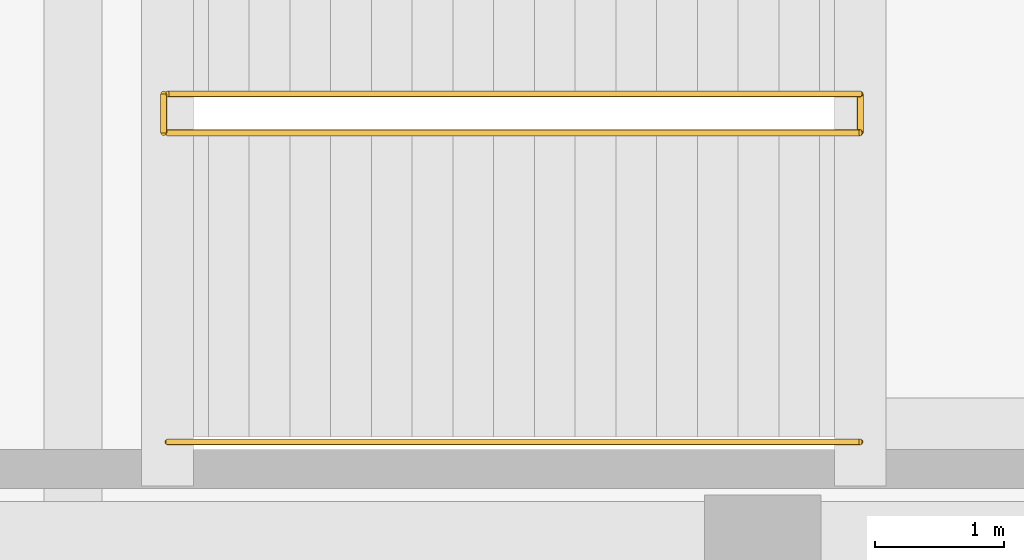
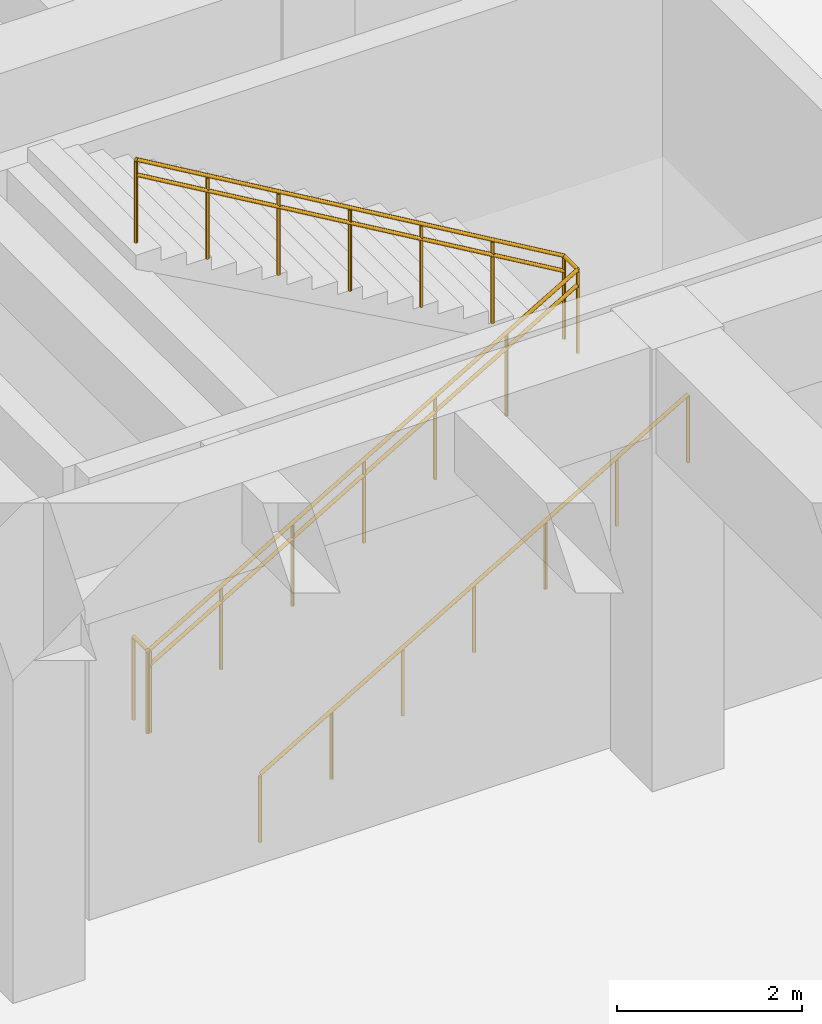
# One storey, part 19 of 24: 6 railings.
"""IFC4 building model written with IfcOpenShell, lengths in metres."""

from ifc_helpers import new_model, si_unit, direction, frame, origin, origin_2d, place, context, subcontext, project, spatial, circle, extrude, material, type_object, element, save


model = new_model("IFC4")

# Units and contexts
model_context = context("Model", 3, precision=1e-05, world=origin(), true_north=direction((0.0, 1.0)))
body_context = subcontext(model_context, "Body", "Model", "MODEL_VIEW")
ifc_project = project(units=[si_unit("LENGTHUNIT", "METRE"), si_unit("AREAUNIT", "SQUARE_METRE"), si_unit("VOLUMEUNIT", "CUBIC_METRE"), si_unit("PLANEANGLEUNIT", "RADIAN"), si_unit("MASSUNIT", "GRAM", prefix="KILO")], contexts=[model_context])

# Site, building, storey
site_placement = place(None, origin())
site = spatial("IfcSite", under=ifc_project, at=site_placement, CompositionType="ELEMENT")
building_placement = place(site_placement, origin())
building = spatial("IfcBuilding", under=site, at=building_placement, Name="Varnela Railside Interchange", CompositionType="ELEMENT")
storey_placement = place(building_placement, frame((0.0, 0.0, -6.300048828125)))
storey = spatial("IfcBuildingStorey", under=building, at=storey_placement, Name="B1", CompositionType="ELEMENT", Elevation=-6.300048828125)

# Railings
ifc_material = material(Name="Steel AR 350 (350 MPa)", Category="steel")
railing_type_1 = type_object("IfcRailingType", Name="Stair & Ramp Pitch Handrail HR-01", PredefinedType="HANDRAIL", material=ifc_material)
railing_1_placement = place(storey_placement, frame((119.39990234375, 33.25, 0.0)))
element("IfcRailing", 1, at=railing_1_placement, inside=storey, type_object=railing_type_1, Name="Stair Handrail ST-M2 Flight 1 (RL-0147)", PredefinedType="HANDRAIL", context=body_context, shape_type="SweptSolid", body=[
    extrude(circle(Radius=0.02392578125, at=origin_2d()), frame((0.0, 0.0, 0.89599609375), z_axis=(0.861923102912, 0.0, 0.507039016908), x_axis=(0.0, 1.0, 0.0)), (0.0, 0.0, 1.0), 6.212890625),
    extrude(circle(Radius=0.02099609375, at=origin_2d()), origin(), (0.0, 0.0, 1.0), 0.871826171875),
    extrude(circle(Radius=0.02099609375, at=origin_2d()), frame((0.892578125, 0.0, 0.52490234375)), (0.0, 0.0, 1.0), 0.871826171875),
    extrude(circle(Radius=0.02099609375, at=origin_2d()), frame((1.784912109375, 0.0, 1.050048828125)), (0.0, 0.0, 1.0), 0.871826171875),
    extrude(circle(Radius=0.02099609375, at=origin_2d()), frame((2.677490234375, 0.0, 1.5751953125)), (0.0, 0.0, 1.0), 0.871826171875),
    extrude(circle(Radius=0.02099609375, at=origin_2d()), frame((3.570068359375, 0.0, 2.10009765625)), (0.0, 0.0, 1.0), 0.871826171875),
    extrude(circle(Radius=0.02099609375, at=origin_2d()), frame((4.46240234375, 0.0, 2.625)), (0.0, 0.0, 1.0), 0.871826171875),
    extrude(circle(Radius=0.02099609375, at=origin_2d()), frame((5.35498046875, 0.0, 3.150146484375)), (0.0, 0.0, 1.0), 0.871826171875),
])
railing_2_placement = place(storey_placement, frame((124.7548828125, 33.550048828125, 3.150146484375)))
element("IfcRailing", 2, at=railing_2_placement, inside=storey, type_object=railing_type_1, Name="Stair Handrail ST-M2 Flight 2 (RL-0148)", PredefinedType="HANDRAIL", context=body_context, shape_type="SweptSolid", body=[
    extrude(circle(Radius=0.02392578125, at=origin_2d()), frame((0.0, 0.0, 0.89599609375), z_axis=(-0.861940276329, 0.0, 0.507009822431), x_axis=(0.0, -1.0, 0.0)), (0.0, 0.0, 1.0), 6.212646484375),
    extrude(circle(Radius=0.02099609375, at=origin_2d()), origin(), (0.0, 0.0, 1.0), 0.871826171875),
    extrude(circle(Radius=0.02099609375, at=origin_2d()), frame((-0.892578125, 0.0, 0.52490234375)), (0.0, 0.0, 1.0), 0.871826171875),
    extrude(circle(Radius=0.02099609375, at=origin_2d()), frame((-1.784912109375, 0.0, 1.050048828125)), (0.0, 0.0, 1.0), 0.871826171875),
    extrude(circle(Radius=0.02099609375, at=origin_2d()), frame((-2.677490234375, 0.0, 1.574951171875)), (0.0, 0.0, 1.0), 0.871826171875),
    extrude(circle(Radius=0.02099609375, at=origin_2d()), frame((-3.570068359375, 0.0, 2.099853515625)), (0.0, 0.0, 1.0), 0.871826171875),
    extrude(circle(Radius=0.02099609375, at=origin_2d()), frame((-4.46240234375, 0.0, 2.625)), (0.0, 0.0, 1.0), 0.871826171875),
    extrude(circle(Radius=0.02099609375, at=origin_2d()), frame((-5.35498046875, 0.0, 3.14990234375)), (0.0, 0.0, 1.0), 0.871826171875),
])
railing_type_2 = type_object("IfcRailingType", Name="Stair Well & Landing Guard GR-02", PredefinedType="GUARDRAIL", material=ifc_material)
railing_3_placement = place(storey_placement, frame((119.3701171875, 33.25, 0.0)))
element("IfcRailing", 3, at=railing_3_placement, inside=storey, type_object=railing_type_2, Name="Stair Well Slot Guard ST-M2 on B1 (RL-0106)", PredefinedType="GUARDRAIL", context=body_context, shape_type="SweptSolid", body=[
    extrude(circle(Radius=0.02392578125, at=origin_2d()), frame((0.0, 0.0, 1.09619140625), z_axis=(0.0, 1.0, 0.0), x_axis=(-1.0, 0.0, 0.0)), (0.0, 0.0, 1.0), 0.300048828125),
    extrude(circle(Radius=0.02099609375, at=origin_2d()), origin(), (0.0, 0.0, 1.0), 1.072021484375),
    extrude(circle(Radius=0.02099609375, at=origin_2d()), frame((0.0, 0.300048828125, 0.0)), (0.0, 0.0, 1.0), 1.072021484375),
])
railing_4_placement = place(storey_placement, frame((119.39990234375, 33.25, 0.0)))
element("IfcRailing", 4, at=railing_4_placement, inside=storey, type_object=railing_type_2, Name="Stair Guard ST-M2 Half-Landing (RL-0104)", PredefinedType="GUARDRAIL", context=body_context, shape_type="SweptSolid", body=[
    extrude(circle(Radius=0.02392578125, at=origin_2d()), frame((0.0, 0.0, 1.09619140625), z_axis=(0.861923102912, 0.0, 0.507039016908), x_axis=(0.0, 1.0, 0.0)), (0.0, 0.0, 1.0), 6.212890625),
    extrude(circle(Radius=0.02392578125, at=origin_2d()), frame((5.35498046875, 0.0, 4.24609375), z_axis=(0.0, 1.0, 0.0), x_axis=(-1.0, 0.0, 0.0)), (0.0, 0.0, 1.0), 0.300048828125),
    extrude(circle(Radius=0.02099609375, at=origin_2d()), origin(), (0.0, 0.0, 1.0), 1.072021484375),
    extrude(circle(Radius=0.02099609375, at=origin_2d()), frame((0.892578125, 0.0, 0.52490234375)), (0.0, 0.0, 1.0), 1.072021484375),
    extrude(circle(Radius=0.02099609375, at=origin_2d()), frame((1.784912109375, 0.0, 1.050048828125)), (0.0, 0.0, 1.0), 1.072021484375),
    extrude(circle(Radius=0.02099609375, at=origin_2d()), frame((2.677490234375, 0.0, 1.5751953125)), (0.0, 0.0, 1.0), 1.072021484375),
    extrude(circle(Radius=0.02099609375, at=origin_2d()), frame((3.570068359375, 0.0, 2.10009765625)), (0.0, 0.0, 1.0), 1.072021484375),
    extrude(circle(Radius=0.02099609375, at=origin_2d()), frame((4.46240234375, 0.0, 2.625)), (0.0, 0.0, 1.0), 1.072021484375),
    extrude(circle(Radius=0.02099609375, at=origin_2d()), frame((5.35498046875, 0.0, 3.150146484375)), (0.0, 0.0, 1.0), 1.072021484375),
    extrude(circle(Radius=0.02099609375, at=origin_2d()), frame((5.35498046875, 0.300048828125, 3.150146484375)), (0.0, 0.0, 1.0), 1.072021484375),
])
railing_5_placement = place(storey_placement, frame((124.7548828125, 33.550048828125, 3.150146484375)))
element("IfcRailing", 5, at=railing_5_placement, inside=storey, type_object=railing_type_2, Name="Stair Guard ST-M2 Upper Flight (RL-0105)", PredefinedType="GUARDRAIL", context=body_context, shape_type="SweptSolid", body=[
    extrude(circle(Radius=0.02392578125, at=origin_2d()), frame((0.0, 0.0, 1.09619140625), z_axis=(-0.861940276329, 0.0, 0.507009822431), x_axis=(0.0, -1.0, 0.0)), (0.0, 0.0, 1.0), 6.212646484375),
    extrude(circle(Radius=0.02099609375, at=origin_2d()), origin(), (0.0, 0.0, 1.0), 1.072021484375),
    extrude(circle(Radius=0.02099609375, at=origin_2d()), frame((-0.892578125, 0.0, 0.52490234375)), (0.0, 0.0, 1.0), 1.072021484375),
    extrude(circle(Radius=0.02099609375, at=origin_2d()), frame((-1.784912109375, 0.0, 1.050048828125)), (0.0, 0.0, 1.0), 1.072021484375),
    extrude(circle(Radius=0.02099609375, at=origin_2d()), frame((-2.677490234375, 0.0, 1.574951171875)), (0.0, 0.0, 1.0), 1.072021484375),
    extrude(circle(Radius=0.02099609375, at=origin_2d()), frame((-3.570068359375, 0.0, 2.099853515625)), (0.0, 0.0, 1.0), 1.072021484375),
    extrude(circle(Radius=0.02099609375, at=origin_2d()), frame((-4.46240234375, 0.0, 2.625)), (0.0, 0.0, 1.0), 1.072021484375),
    extrude(circle(Radius=0.02099609375, at=origin_2d()), frame((-5.35498046875, 0.0, 3.14990234375)), (0.0, 0.0, 1.0), 1.072021484375),
])
railing_type_3 = type_object("IfcRailingType", Name="Wall-Mounted Stair Handrail HR-02", PredefinedType="HANDRAIL", material=ifc_material)
railing_6_placement = place(storey_placement, frame((119.39990234375, 30.860107421875, 0.0)))
element("IfcRailing", 6, at=railing_6_placement, inside=storey, type_object=railing_type_3, Name="Wall Handrail ST-M2 Flight 1 (RL-0167)", PredefinedType="HANDRAIL", context=body_context, shape_type="SweptSolid", body=[
    extrude(circle(Radius=0.02392578125, at=origin_2d()), frame((0.0, 0.0, 0.89599609375), z_axis=(0.861923102912, 0.0, 0.507039016908), x_axis=(0.0, 1.0, 0.0)), (0.0, 0.0, 1.0), 6.212890625),
    extrude(circle(Radius=0.02099609375, at=origin_2d()), origin(), (0.0, 0.0, 1.0), 0.871826171875),
    extrude(circle(Radius=0.02099609375, at=origin_2d()), frame((0.892578125, 0.0, 0.52490234375)), (0.0, 0.0, 1.0), 0.871826171875),
    extrude(circle(Radius=0.02099609375, at=origin_2d()), frame((1.784912109375, 0.0, 1.050048828125)), (0.0, 0.0, 1.0), 0.871826171875),
    extrude(circle(Radius=0.02099609375, at=origin_2d()), frame((2.677490234375, 0.0, 1.5751953125)), (0.0, 0.0, 1.0), 0.871826171875),
    extrude(circle(Radius=0.02099609375, at=origin_2d()), frame((3.570068359375, 0.0, 2.10009765625)), (0.0, 0.0, 1.0), 0.871826171875),
    extrude(circle(Radius=0.02099609375, at=origin_2d()), frame((4.46240234375, 0.0, 2.625)), (0.0, 0.0, 1.0), 0.871826171875),
    extrude(circle(Radius=0.02099609375, at=origin_2d()), frame((5.35498046875, 0.0, 3.150146484375)), (0.0, 0.0, 1.0), 0.871826171875),
])

save(model, "model.ifc")
